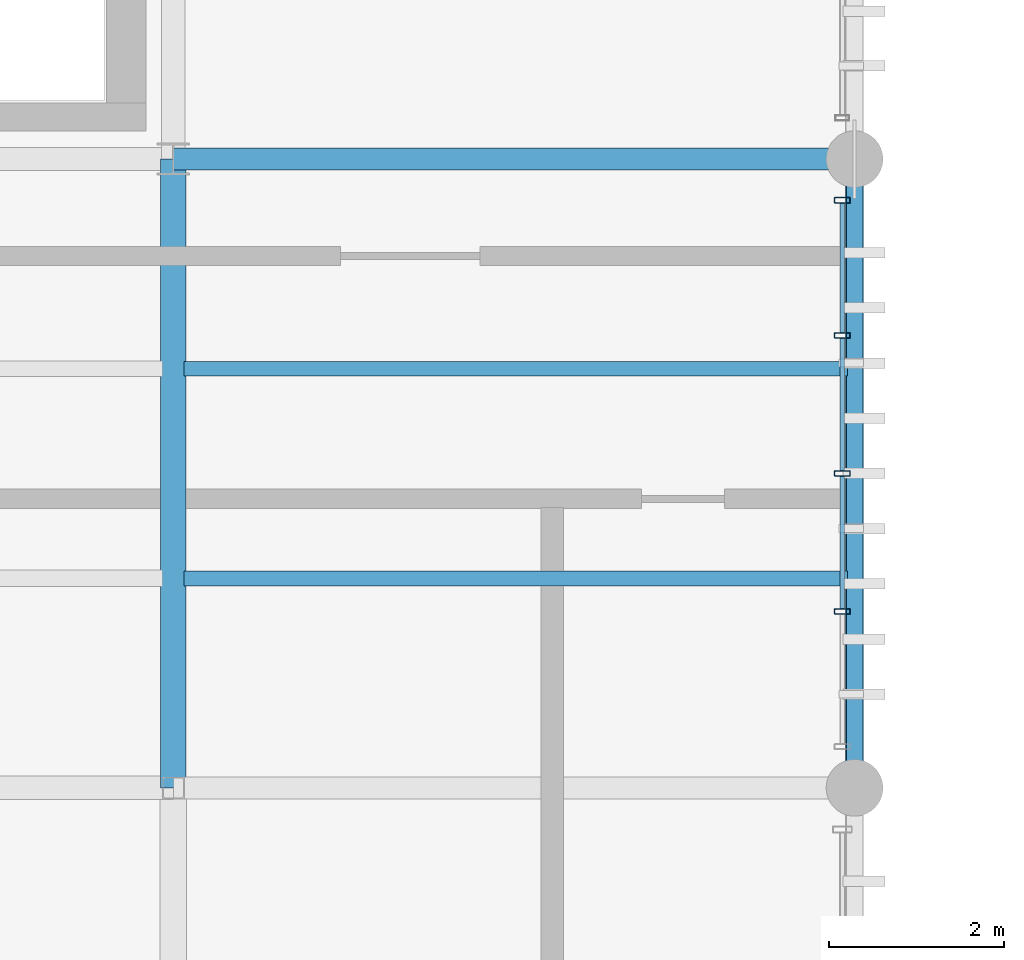
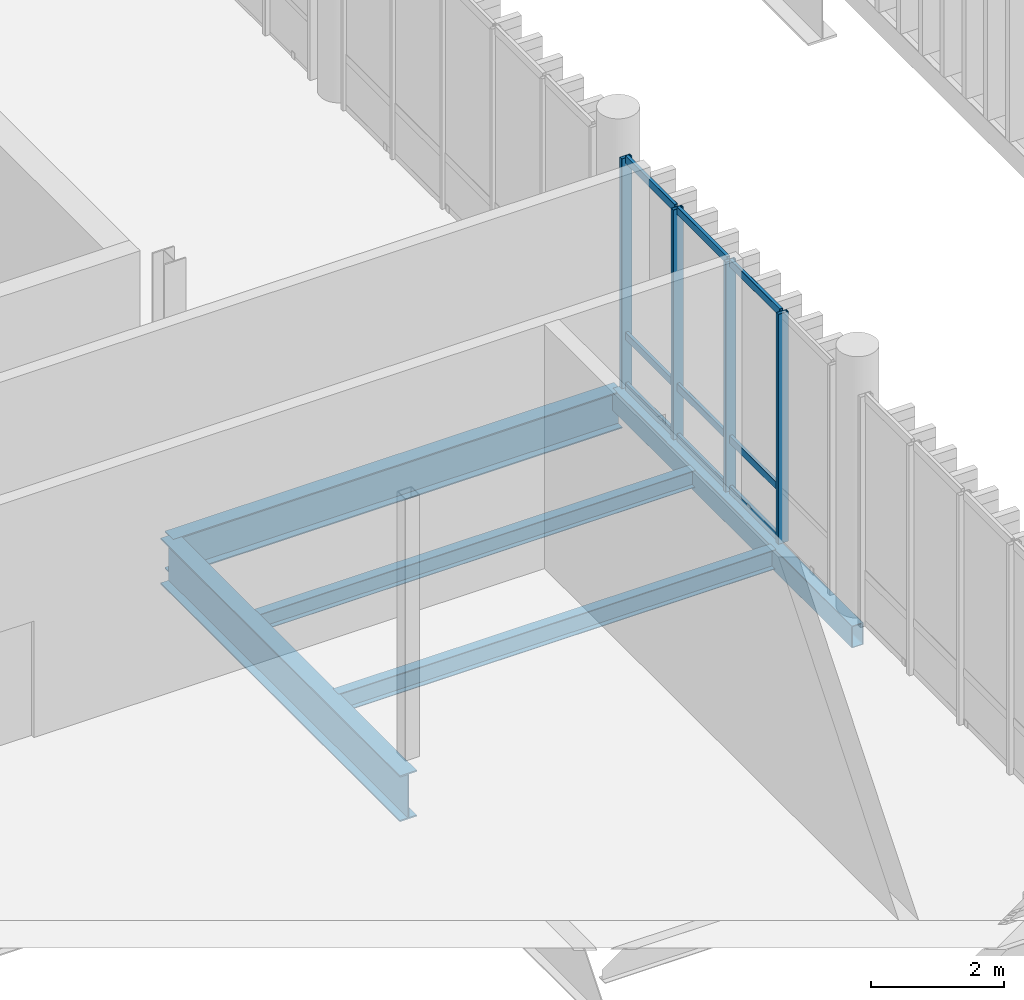
# One storey, part 21 of 86: 13 members, 5 beams, 1 element without a shape of its own.
"""IFC4 building model written with IfcOpenShell, lengths in metres."""

from ifc_helpers import new_model, si_unit, direction, frame, origin_with_axes, origin_2d_with_axis, place, context, subcontext, project, spatial, hollow_rectangle, i_section, extrude, material, material_profile, profile_set, type_object, element, aggregate, save


model = new_model("IFC4")

# Units and contexts
model_context = context("Model", 3, precision=1e-05, world=origin_with_axes(), true_north=direction((0.0, 1.0)))
body_context = subcontext(model_context, "Body", "Model", "MODEL_VIEW")
ifc_project = project(units=[si_unit("LENGTHUNIT", "METRE"), si_unit("AREAUNIT", "SQUARE_METRE"), si_unit("VOLUMEUNIT", "CUBIC_METRE"), si_unit("PLANEANGLEUNIT", "RADIAN"), si_unit("MASSUNIT", "GRAM", prefix="KILO"), si_unit("THERMODYNAMICTEMPERATUREUNIT", "KELVIN")], contexts=[model_context])

# Site, building, storey
site_placement = place(None, origin_with_axes())
site = spatial("IfcSite", under=ifc_project, at=site_placement, CompositionType="ELEMENT")
building_placement = place(site_placement, origin_with_axes())
building = spatial("IfcBuilding", under=site, at=building_placement, Name="Montbau Bow Law Courts", CompositionType="ELEMENT")
storey_placement = place(building_placement, frame((0.0, 0.0, 29.7), z_axis=(0.0, 0.0, 1.0), x_axis=(1.0, 0.0, 0.0)))
storey = spatial("IfcBuildingStorey", under=building, at=storey_placement, Name="L06", CompositionType="ELEMENT", Elevation=29.7)

# Beams
ifc_material_1 = material(Name="Steel CSA G40.21 Grade 350W (350 MPa)", Category="steel")
ifc_material_profile_1 = material_profile(ifc_material_1, i_section(OverallWidth=0.293, OverallDepth=0.846, WebThickness=0.0154, FlangeThickness=0.0244, at=origin_2d_with_axis()), Name="W840X210", Category="Main", Priority=0)
ifc_profile_set_1 = profile_set([ifc_material_profile_1], Name="Steel CSA G40.21 Grade 350W (350 MPa)")
beam_type_1 = type_object("IfcBeamType", Name="B-FLR-02", PredefinedType="BEAM", material=ifc_profile_set_1)
beam_1_placement = place(None, frame((39.0, 39.0, 28.937), z_axis=(0.0, 1.0, 0.0), x_axis=(-1.0, 0.0, 0.0)))
element("IfcBeam", 1, at=beam_1_placement, inside=storey, type_object=beam_type_1, Name="BM-L06-S0706:bm2_0709", PredefinedType="BEAM", context=body_context, shape_type="SweptSolid", body=[
    extrude(i_section(OverallWidth=0.293, OverallDepth=0.846, WebThickness=0.0154, FlangeThickness=0.0244, at=origin_2d_with_axis()), origin_with_axes(), (0.0, 0.0, 1.0), 7.2),
])
ifc_material_profile_2 = material_profile(ifc_material_1, i_section(OverallWidth=0.254, OverallDepth=0.688, WebThickness=0.0131, FlangeThickness=0.0211, at=origin_2d_with_axis()), Name="W690X152", Category="Main", Priority=0)
ifc_profile_set_2 = profile_set([ifc_material_profile_2], Name="Steel CSA G40.21 Grade 350W (350 MPa)")
beam_type_2 = type_object("IfcBeamType", Name="B-FLR-04", PredefinedType="BEAM", material=ifc_profile_set_2)
beam_2_placement = place(None, frame((39.0, 46.2, 29.016), z_axis=(1.0, 0.0, 0.0), x_axis=(0.0, 1.0, 0.0)))
element("IfcBeam", 2, at=beam_2_placement, inside=storey, type_object=beam_type_2, Name="BM-L06-S0680:bm2_0683", PredefinedType="BEAM", context=body_context, shape_type="SweptSolid", body=[
    extrude(i_section(OverallWidth=0.254, OverallDepth=0.688, WebThickness=0.0131, FlangeThickness=0.0211, at=origin_2d_with_axis()), origin_with_axes(), (0.0, 0.0, 1.0), 7.8),
])
ifc_material_profile_3 = material_profile(ifc_material_1, i_section(OverallWidth=0.172, OverallDepth=0.358, WebThickness=0.0079, FlangeThickness=0.0131, at=origin_2d_with_axis()), Name="W360X57", Category="Main", Priority=0)
ifc_profile_set_3 = profile_set([ifc_material_profile_3], Name="Steel CSA G40.21 Grade 350W (350 MPa)")
beam_type_3 = type_object("IfcBeamType", Name="B-JST-03", PredefinedType="JOIST", material=ifc_profile_set_3)
beam_3_placement = place(None, frame((39.123, 41.4, 29.181), z_axis=(1.0, 0.0, 0.0), x_axis=(0.0, 1.0, 0.0)))
element("IfcBeam", 3, at=beam_3_placement, inside=storey, type_object=beam_type_3, Name="JST-L06-S0354:jst2_0354", PredefinedType="JOIST", context=body_context, shape_type="SweptSolid", body=[
    extrude(i_section(OverallWidth=0.172, OverallDepth=0.358, WebThickness=0.0079, FlangeThickness=0.0131, at=origin_2d_with_axis()), origin_with_axes(), (0.0, 0.0, 1.0), 7.597),
])
ifc_material_profile_4 = material_profile(ifc_material_1, i_section(OverallWidth=0.166, OverallDepth=0.313, WebThickness=0.0066, FlangeThickness=0.0112, at=origin_2d_with_axis()), Name="W310X45", Category="Main", Priority=0)
ifc_profile_set_4 = profile_set([ifc_material_profile_4], Name="Steel CSA G40.21 Grade 350W (350 MPa)")
beam_type_4 = type_object("IfcBeamType", Name="B-JST-04", PredefinedType="JOIST", material=ifc_profile_set_4)
beam_4_placement = place(None, frame((39.123, 43.8, 29.203), z_axis=(1.0, 0.0, 0.0), x_axis=(0.0, 1.0, 0.0)))
element("IfcBeam", 4, at=beam_4_placement, inside=storey, type_object=beam_type_4, Name="JST-L06-S0355:jst2_0355", PredefinedType="JOIST", context=body_context, shape_type="SweptSolid", body=[
    extrude(i_section(OverallWidth=0.166, OverallDepth=0.313, WebThickness=0.0066, FlangeThickness=0.0112, at=origin_2d_with_axis()), origin_with_axes(), (0.0, 0.0, 1.0), 7.597),
])
ifc_material_2 = material(Name="Steel CSA G40.21 Grade 350WT (350 MPa)", Category="steel")
ifc_material_profile_5 = material_profile(ifc_material_2, hollow_rectangle(XDim=0.203, YDim=0.406, WallThickness=0.0127, InnerFilletRadius=0.0254, OuterFilletRadius=0.0127, at=origin_2d_with_axis()), Name="HSS406X203X13", Category="Main", Priority=0)
ifc_profile_set_5 = profile_set([ifc_material_profile_5], Name="Steel CSA G40.21 Grade 350WT (350 MPa)")
beam_type_5 = type_object("IfcBeamType", Name="B-SPN-01", PredefinedType="SPANDREL", material=ifc_profile_set_5)
beam_5_placement = place(None, frame((46.8, 39.0, 29.157), z_axis=(0.0, 1.0, 0.0), x_axis=(-1.0, 0.0, 0.0)))
element("IfcBeam", 5, at=beam_5_placement, inside=storey, type_object=beam_type_5, Name="SPN-L06-S0710:bm2_0713", PredefinedType="SPANDREL", context=body_context, shape_type="SweptSolid", body=[
    extrude(hollow_rectangle(XDim=0.203, YDim=0.406, WallThickness=0.0127, InnerFilletRadius=0.0254, OuterFilletRadius=0.0127, at=origin_2d_with_axis()), origin_with_axes(), (0.0, 0.0, 1.0), 7.2),
])

# Curtain wall, members
ifc_material_3 = material(Name="Thermally Broken Extruded Aluminium AA 6063-T6", Category="aluminium")
curtain_wall_type = type_object("IfcCurtainWallType", Name="CW-TRC-02", PredefinedType="NOTDEFINED", material=ifc_material_3)
curtain_wall_placement = place(None, frame((46.66, 39.44, 29.7), z_axis=(0.0, 0.0, 1.0), x_axis=(1.0, 0.0, 0.0)))
curtain_wall = element("IfcCurtainWall", 6, at=curtain_wall_placement, inside=storey, type_object=curtain_wall_type, Name="CW-L06-109:cw_0109", PredefinedType="NOTDEFINED")
ifc_material_profile_6 = material_profile(ifc_material_3, hollow_rectangle(XDim=0.065, YDim=0.18, WallThickness=0.005, InnerFilletRadius=0.01, OuterFilletRadius=0.005, at=origin_2d_with_axis()), Name="CWM-180X65", Category="Main", Priority=0)
ifc_profile_set_6 = profile_set([ifc_material_profile_6], Name="Thermally Broken Extruded Aluminium AA 6063-T6")
member_type_1 = type_object("IfcMemberType", Name="M-MUL-02", PredefinedType="MULLION", material=ifc_profile_set_6)
member_1_placement = place(None, frame((46.66, 41.02, 29.7), z_axis=(0.0, 0.0, 1.0), x_axis=(0.0, 1.0, 0.0)))
member_1 = element("IfcMember", 7, at=member_1_placement, type_object=member_type_1, Name="CW-L06-109-M02:cw_0109_M02", PredefinedType="MULLION", context=body_context, shape_type="SweptSolid", body=[
    extrude(hollow_rectangle(XDim=0.065, YDim=0.18, WallThickness=0.005, InnerFilletRadius=0.01, OuterFilletRadius=0.005, at=origin_2d_with_axis()), origin_with_axes(), (0.0, 0.0, 1.0), 4.22),
])
member_2_placement = place(None, frame((46.66, 42.6, 29.7), z_axis=(0.0, 0.0, 1.0), x_axis=(0.0, 1.0, 0.0)))
member_2 = element("IfcMember", 8, at=member_2_placement, type_object=member_type_1, Name="CW-L06-109-M03:cw_0109_M03", PredefinedType="MULLION", context=body_context, shape_type="SweptSolid", body=[
    extrude(hollow_rectangle(XDim=0.065, YDim=0.18, WallThickness=0.005, InnerFilletRadius=0.01, OuterFilletRadius=0.005, at=origin_2d_with_axis()), origin_with_axes(), (0.0, 0.0, 1.0), 4.22),
])
member_3_placement = place(None, frame((46.66, 44.18, 29.7), z_axis=(0.0, 0.0, 1.0), x_axis=(0.0, 1.0, 0.0)))
member_3 = element("IfcMember", 9, at=member_3_placement, type_object=member_type_1, Name="CW-L06-109-M04:cw_0109_M04", PredefinedType="MULLION", context=body_context, shape_type="SweptSolid", body=[
    extrude(hollow_rectangle(XDim=0.065, YDim=0.18, WallThickness=0.005, InnerFilletRadius=0.01, OuterFilletRadius=0.005, at=origin_2d_with_axis()), origin_with_axes(), (0.0, 0.0, 1.0), 4.22),
])
member_4_placement = place(None, frame((46.66, 45.728, 29.7), z_axis=(0.0, 0.0, 1.0), x_axis=(0.0, 1.0, 0.0)))
member_4 = element("IfcMember", 10, at=member_4_placement, type_object=member_type_1, Name="CW-L06-109-M05:cw_0109_M05", PredefinedType="MULLION", context=body_context, shape_type="SweptSolid", body=[
    extrude(hollow_rectangle(XDim=0.065, YDim=0.18, WallThickness=0.005, InnerFilletRadius=0.01, OuterFilletRadius=0.005, at=origin_2d_with_axis()), origin_with_axes(), (0.0, 0.0, 1.0), 4.22),
])
ifc_material_profile_7 = material_profile(ifc_material_3, hollow_rectangle(XDim=0.055, YDim=0.14, WallThickness=0.004, InnerFilletRadius=0.008, OuterFilletRadius=0.004, at=origin_2d_with_axis()), Name="CWT-140X55", Category="Main", Priority=0)
ifc_profile_set_7 = profile_set([ifc_material_profile_7], Name="Thermally Broken Extruded Aluminium AA 6063-T6")
member_type_2 = type_object("IfcMemberType", Name="M-TRN-02", PredefinedType="USERDEFINED", material=ifc_profile_set_7)
member_5_placement = place(None, frame((46.66, 41.055, 29.727), z_axis=(0.0, 1.0, 0.0), x_axis=(-1.0, 0.0, 0.0)))
member_5 = element("IfcMember", 11, at=member_5_placement, type_object=member_type_2, Name="CW-L06-109-T02-1:cw_0109_T02_1", ObjectType="TRANSOM", PredefinedType="USERDEFINED", context=body_context, shape_type="SweptSolid", body=[
    extrude(hollow_rectangle(XDim=0.055, YDim=0.14, WallThickness=0.004, InnerFilletRadius=0.008, OuterFilletRadius=0.004, at=origin_2d_with_axis()), origin_with_axes(), (0.0, 0.0, 1.0), 1.511),
])
member_6_placement = place(None, frame((46.66, 41.055, 30.65), z_axis=(0.0, 1.0, 0.0), x_axis=(-1.0, 0.0, 0.0)))
member_6 = element("IfcMember", 12, at=member_6_placement, type_object=member_type_2, Name="CW-L06-109-T02-2:cw_0109_T02_2", ObjectType="TRANSOM", PredefinedType="USERDEFINED", context=body_context, shape_type="SweptSolid", body=[
    extrude(hollow_rectangle(XDim=0.055, YDim=0.14, WallThickness=0.004, InnerFilletRadius=0.008, OuterFilletRadius=0.004, at=origin_2d_with_axis()), origin_with_axes(), (0.0, 0.0, 1.0), 1.511),
])
member_7_placement = place(None, frame((46.66, 41.055, 33.892), z_axis=(0.0, 1.0, 0.0), x_axis=(-1.0, 0.0, 0.0)))
member_7 = element("IfcMember", 13, at=member_7_placement, type_object=member_type_2, Name="CW-L06-109-T02-3:cw_0109_T02_3", ObjectType="TRANSOM", PredefinedType="USERDEFINED", context=body_context, shape_type="SweptSolid", body=[
    extrude(hollow_rectangle(XDim=0.055, YDim=0.14, WallThickness=0.004, InnerFilletRadius=0.008, OuterFilletRadius=0.004, at=origin_2d_with_axis()), origin_with_axes(), (0.0, 0.0, 1.0), 1.511),
])
member_8_placement = place(None, frame((46.66, 42.635, 29.727), z_axis=(0.0, 1.0, 0.0), x_axis=(-1.0, 0.0, 0.0)))
member_8 = element("IfcMember", 14, at=member_8_placement, type_object=member_type_2, Name="CW-L06-109-T03-1:cw_0109_T03_1", ObjectType="TRANSOM", PredefinedType="USERDEFINED", context=body_context, shape_type="SweptSolid", body=[
    extrude(hollow_rectangle(XDim=0.055, YDim=0.14, WallThickness=0.004, InnerFilletRadius=0.008, OuterFilletRadius=0.004, at=origin_2d_with_axis()), origin_with_axes(), (0.0, 0.0, 1.0), 1.511),
])
member_9_placement = place(None, frame((46.66, 42.635, 30.65), z_axis=(0.0, 1.0, 0.0), x_axis=(-1.0, 0.0, 0.0)))
member_9 = element("IfcMember", 15, at=member_9_placement, type_object=member_type_2, Name="CW-L06-109-T03-2:cw_0109_T03_2", ObjectType="TRANSOM", PredefinedType="USERDEFINED", context=body_context, shape_type="SweptSolid", body=[
    extrude(hollow_rectangle(XDim=0.055, YDim=0.14, WallThickness=0.004, InnerFilletRadius=0.008, OuterFilletRadius=0.004, at=origin_2d_with_axis()), origin_with_axes(), (0.0, 0.0, 1.0), 1.511),
])
member_10_placement = place(None, frame((46.66, 42.635, 33.892), z_axis=(0.0, 1.0, 0.0), x_axis=(-1.0, 0.0, 0.0)))
member_10 = element("IfcMember", 16, at=member_10_placement, type_object=member_type_2, Name="CW-L06-109-T03-3:cw_0109_T03_3", ObjectType="TRANSOM", PredefinedType="USERDEFINED", context=body_context, shape_type="SweptSolid", body=[
    extrude(hollow_rectangle(XDim=0.055, YDim=0.14, WallThickness=0.004, InnerFilletRadius=0.008, OuterFilletRadius=0.004, at=origin_2d_with_axis()), origin_with_axes(), (0.0, 0.0, 1.0), 1.511),
])
member_11_placement = place(None, frame((46.66, 44.214, 29.727), z_axis=(0.0, 1.0, 0.0), x_axis=(-1.0, 0.0, 0.0)))
member_11 = element("IfcMember", 17, at=member_11_placement, type_object=member_type_2, Name="CW-L06-109-T04-1:cw_0109_T04_1", ObjectType="TRANSOM", PredefinedType="USERDEFINED", context=body_context, shape_type="SweptSolid", body=[
    extrude(hollow_rectangle(XDim=0.055, YDim=0.14, WallThickness=0.004, InnerFilletRadius=0.008, OuterFilletRadius=0.004, at=origin_2d_with_axis()), origin_with_axes(), (0.0, 0.0, 1.0), 1.48),
])
member_12_placement = place(None, frame((46.66, 44.214, 30.65), z_axis=(0.0, 1.0, 0.0), x_axis=(-1.0, 0.0, 0.0)))
member_12 = element("IfcMember", 18, at=member_12_placement, type_object=member_type_2, Name="CW-L06-109-T04-2:cw_0109_T04_2", ObjectType="TRANSOM", PredefinedType="USERDEFINED", context=body_context, shape_type="SweptSolid", body=[
    extrude(hollow_rectangle(XDim=0.055, YDim=0.14, WallThickness=0.004, InnerFilletRadius=0.008, OuterFilletRadius=0.004, at=origin_2d_with_axis()), origin_with_axes(), (0.0, 0.0, 1.0), 1.48),
])
member_13_placement = place(None, frame((46.66, 44.214, 33.892), z_axis=(0.0, 1.0, 0.0), x_axis=(-1.0, 0.0, 0.0)))
member_13 = element("IfcMember", 19, at=member_13_placement, type_object=member_type_2, Name="CW-L06-109-T04-3:cw_0109_T04_3", ObjectType="TRANSOM", PredefinedType="USERDEFINED", context=body_context, shape_type="SweptSolid", body=[
    extrude(hollow_rectangle(XDim=0.055, YDim=0.14, WallThickness=0.004, InnerFilletRadius=0.008, OuterFilletRadius=0.004, at=origin_2d_with_axis()), origin_with_axes(), (0.0, 0.0, 1.0), 1.48),
])
aggregate(curtain_wall, [member_1, member_2, member_3, member_4, member_5, member_6, member_7, member_8, member_9, member_10, member_11, member_12, member_13])

save(model, "model.ifc")
